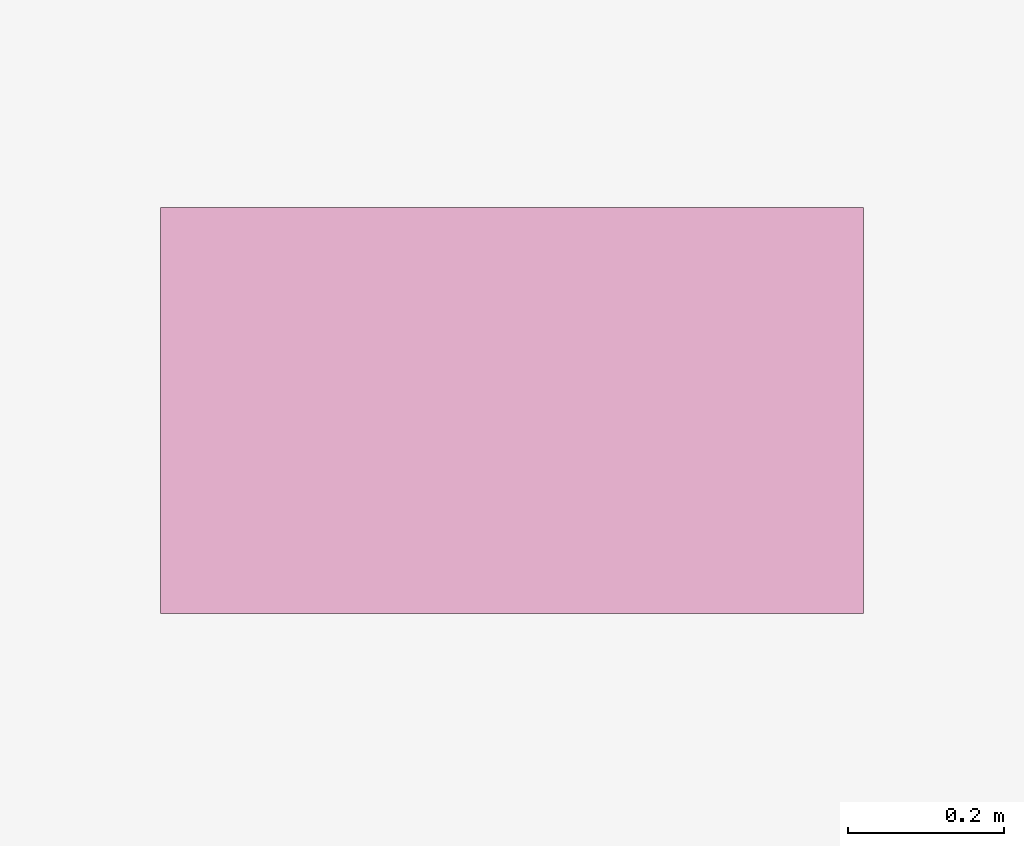
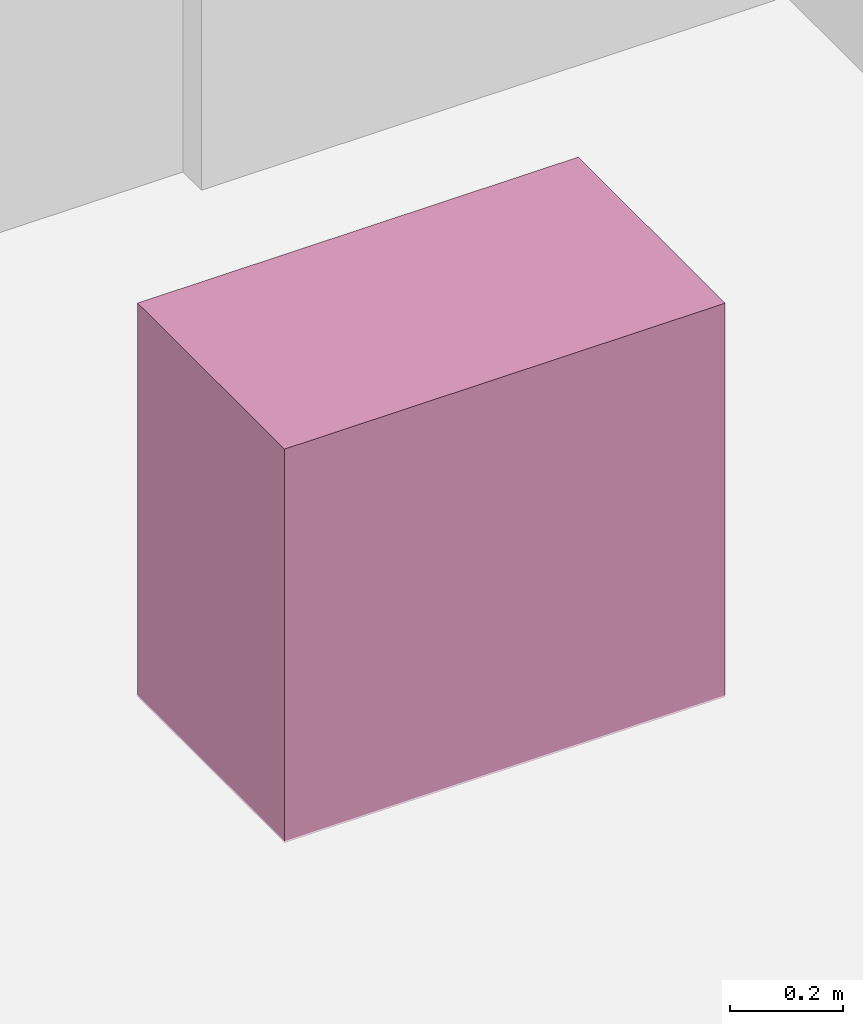
# One storey, part 29 of 29: 1 furnishing.
"""IFC4 building model written with IfcOpenShell, lengths in metres."""

from ifc_helpers import new_model, si_unit, direction, frame, origin, origin_2d, place, context, subcontext, project, spatial, rectangle, extrude, material, type_object, element, save


model = new_model("IFC4")

# Units and contexts
model_context = context("Model", 3, precision=1e-05, world=origin(), true_north=direction((0.0, 1.0)))
body_context = subcontext(model_context, "Body", "Model", "MODEL_VIEW")
ifc_project = project(units=[si_unit("LENGTHUNIT", "METRE"), si_unit("AREAUNIT", "SQUARE_METRE"), si_unit("VOLUMEUNIT", "CUBIC_METRE"), si_unit("PLANEANGLEUNIT", "RADIAN"), si_unit("MASSUNIT", "GRAM", prefix="KILO")], contexts=[model_context])

# Site, building, storey
site_placement = place(None, origin())
site = spatial("IfcSite", under=ifc_project, at=site_placement, CompositionType="ELEMENT")
building_placement = place(site_placement, origin())
building = spatial("IfcBuilding", under=site, at=building_placement, Name="Vorneva Point Tower", CompositionType="ELEMENT")
storey_placement = place(building_placement, frame((0.0, 0.0, 167.60009765625)))
storey = spatial("IfcBuildingStorey", under=building, at=storey_placement, Name="L45", CompositionType="ELEMENT", Elevation=167.60009765625)

# Furnishing
ifc_material = material(Name="Vitreous china and granite top", Category="masonry")
furniture_type = type_object("IfcFurnitureType", Name="FUR-VAN-900", AssemblyPlace="NOTDEFINED", PredefinedType="NOTDEFINED", material=ifc_material)
furnishing_placement = place(storey_placement, frame((37.97509765625, 32.1201171875, -0.005126953125), z_axis=(0.0, 0.0, 1.0), x_axis=(1.0, 0.0, 0.0)))
element("IfcFurnishingElement", 1, at=furnishing_placement, inside=storey, type_object=furniture_type, Name="L45 Accessible WC Vanity Unit", ObjectType="L45 Accessible WC Vanity Unit", context=body_context, shape_type="SweptSolid", body=[
    extrude(rectangle(XDim=0.89990234375, YDim=0.52001953125, at=origin_2d()), origin(), (0.0, 0.0, 1.0), 0.85009765625),
])

save(model, "model.ifc")
